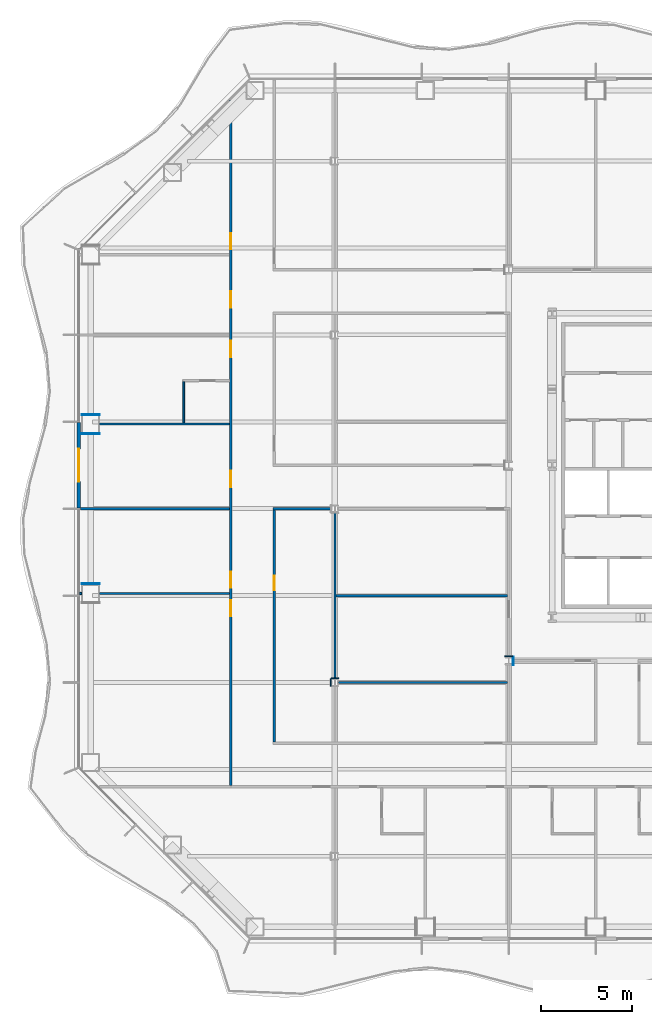
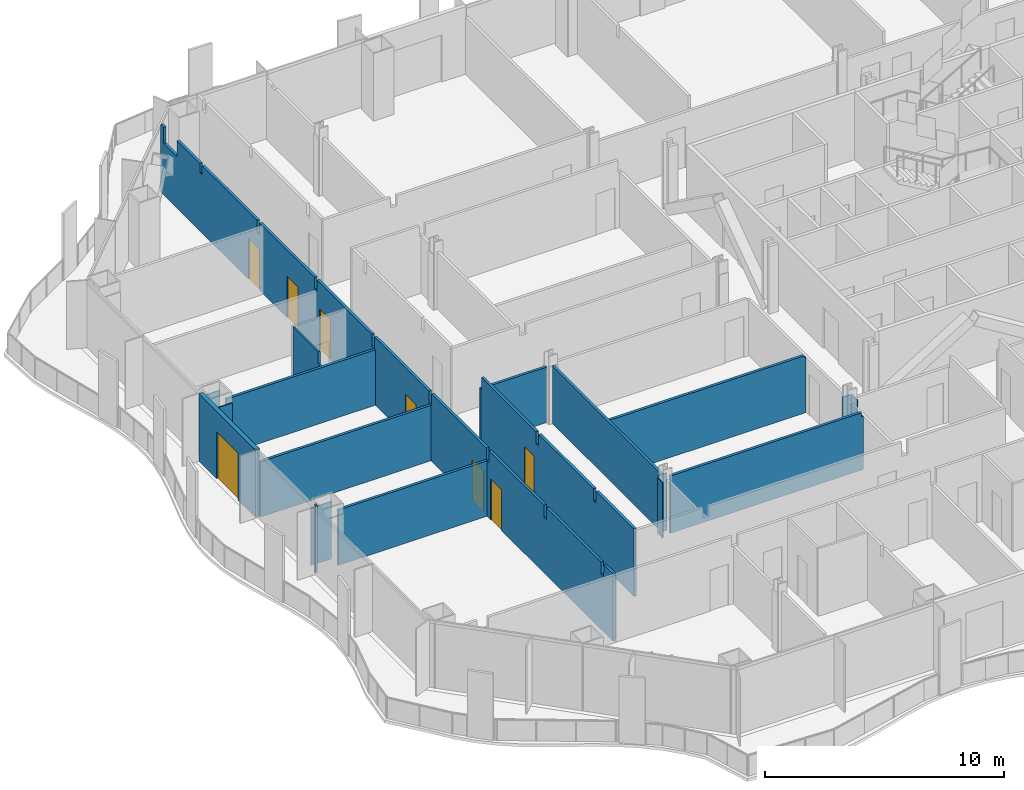
# One storey, part 7 of 21: 19 walls, 8 doors, 8 openings.
"""IFC4 building model written with IfcOpenShell, lengths in metres."""

from ifc_helpers import new_model, si_unit, direction, frame, frame_2d, origin, place, context, subcontext, project, spatial, polyline, rectangle, outline, extrude, material, layer, layer_set, type_object, element, fill, save


model = new_model("IFC4")

# Units and contexts
model_context = context("Model", 3, precision=1e-05, world=origin(), true_north=direction((0.0, 1.0)))
body_context = subcontext(model_context, "Body", "Model", "MODEL_VIEW")
ifc_project = project(units=[si_unit("LENGTHUNIT", "METRE"), si_unit("AREAUNIT", "SQUARE_METRE"), si_unit("VOLUMEUNIT", "CUBIC_METRE"), si_unit("PLANEANGLEUNIT", "RADIAN"), si_unit("MASSUNIT", "GRAM", prefix="KILO")], contexts=[model_context])

# Site, building, storey
site_placement = place(None, origin())
site = spatial("IfcSite", under=ifc_project, at=site_placement, CompositionType="ELEMENT")
building_placement = place(site_placement, origin())
building = spatial("IfcBuilding", under=site, at=building_placement, Name="Cairn Pilgrim Tower", CompositionType="ELEMENT")
storey_placement = place(building_placement, frame((0.0, 0.0, 47.39990234375)))
storey = spatial("IfcBuildingStorey", under=building, at=storey_placement, Name="L09", CompositionType="ELEMENT", Elevation=47.39990234375)

# Wall, opening, door
ifc_material_1 = material(Name="Bronze anodised aluminium insulated sandwich panel with mineral wool fill", Category="aluminium")
ifc_layer_1 = layer(ifc_material_1, 0.199951171875)
ifc_layer_set_1 = layer_set([ifc_layer_1], Name="BRONZE INFILL FRAME WALL 200")
wall_type_1 = type_object("IfcWallType", Name="BRONZE INFILL FRAME WALL 200", PredefinedType="NOTDEFINED", material=ifc_layer_set_1)
wall_1_placement = place(storey_placement, frame((-28.550048828125, 4.77001953125, 0.0), z_axis=(0.0, 0.0, 1.0), x_axis=(0.0, -1.0, 0.0)))
wall_1 = element("IfcWall", 1, at=wall_1_placement, inside=storey, type_object=wall_type_1, Name="Bronze infill frame wall IW-W3", PredefinedType="NOTDEFINED", context=body_context, shape_type="SweptSolid", body=[
    extrude(rectangle(XDim=4.739990234375, YDim=0.199951171875, at=frame_2d((2.3701171875, 0.0))), origin(), (0.0, 0.0, 1.0), 3.4501953125),
])
opening_1_placement = place(wall_1_placement, frame((1.469970703125, 0.0, 0.0)))
opening_1 = element("IfcOpeningElement", 2, at=opening_1_placement, cuts=wall_1, Name="Opening 0911B", PredefinedType="OPENING", context=body_context, shape_type="SweptSolid", body=[
    extrude(rectangle(XDim=1.800048828125, YDim=2.39990234375, at=frame_2d((0.89990234375, 1.199951171875))), frame((0.0, 0.10986328125, 0.0), z_axis=(0.0, -1.0, 0.0), x_axis=(1.0, 0.0, 0.0)), (0.0, 0.0, 1.0), 0.219970703125),
])
ifc_material_2 = material(Name="Bronze anodised aluminium frame with tinted low-E glass", Category="aluminium")
door_type_1 = type_object("IfcDoorType", Name="BALCONY SLIDING DOOR 1800x2400", OperationType="DOUBLE_DOOR_SLIDING", PredefinedType="DOOR", material=ifc_material_2)
door_1_placement = place(opening_1_placement, origin())
door_1 = element("IfcDoor", 3, at=door_1_placement, inside=storey, type_object=door_type_1, Name="Balcony sliding door 0911B", OperationType="SINGLE_SWING_LEFT", OverallHeight=2.39990234375, OverallWidth=1.800048828125, PredefinedType="DOOR", context=body_context, shape_type="SweptSolid", body=[
    extrude(rectangle(XDim=1.800048828125, YDim=2.39990234375, at=frame_2d((0.89990234375, 1.199951171875))), frame((0.0, 0.02490234375, 0.0), z_axis=(0.0, -1.0, 0.0), x_axis=(1.0, 0.0, 0.0)), (0.0, 0.0, 1.0), 0.050048828125),
])
fill(opening_1, door_1)

# Wall
ifc_material_3 = material(Name="Gypsum partition")
ifc_layer_2 = layer(ifc_material_3, 0.10009765625)
ifc_layer_set_2 = layer_set([ifc_layer_2], Name="PARTITION 100 DRYWALL")
wall_type_2 = type_object("IfcWallType", Name="PARTITION 100 DRYWALL", PredefinedType="PARTITIONING", material=ifc_layer_set_2)
wall_2_placement = place(storey_placement, frame((-22.75, 4.738525390625, 0.0), z_axis=(0.0, 0.0, 1.0), x_axis=(0.0, 1.0, 0.0)))
element("IfcWall", 4, at=wall_2_placement, inside=storey, type_object=wall_type_2, Name="PARTITION W065", PredefinedType="PARTITIONING", context=body_context, shape_type="SweptSolid", body=[
    extrude(outline(polyline([(0.0, 0.0), (2.287353515625, 0.0), (2.28759765625, 3.4501953125), (0.17138671875, 3.4501953125), (0.16943359375, 2.830078125), (0.0, 2.830078125), (0.0, 0.0)])), frame((0.0, 0.050048828125, 0.0), z_axis=(0.0, -1.0, 0.0), x_axis=(1.0, 0.0, 0.0)), (0.0, 0.0, 1.0), 0.10009765625),
])

# Wall, openings, doors
ifc_layer_3 = layer(ifc_material_3, 0.125)
ifc_layer_set_3 = layer_set([ifc_layer_3], Name="PARTITION 125 DRYWALL EI 60")
wall_type_3 = type_object("IfcWallType", Name="PARTITION 125 DRYWALL EI 60", PredefinedType="PARTITIONING", material=ifc_layer_set_3)
wall_3_placement = place(storey_placement, frame((-20.14990234375, -15.28759765625, 0.0), z_axis=(0.0, 0.0, 1.0), x_axis=(0.0, 1.0, 0.0)))
wall_3 = element("IfcWall", 5, at=wall_3_placement, inside=storey, type_object=wall_type_3, Name="PARTITION W023", PredefinedType="PARTITIONING", context=body_context, shape_type="SweptSolid", body=[
    extrude(outline(polyline([(0.0, 0.0), (37.876220703125, 0.0), (37.876220703125, 3.4501953125), (37.622314453125, 3.4501953125), (37.6201171875, 2.630126953125), (36.507080078125, 2.630126953125), (36.505126953125, 3.4501953125), (34.58251953125, 3.4501953125), (34.58056640625, 2.97998046875), (34.392578125, 2.97998046875), (34.390380859375, 3.4501953125), (29.797607421875, 3.4501953125), (29.79541015625, 2.830078125), (29.577392578125, 2.830078125), (29.575439453125, 3.4501953125), (24.99755859375, 3.4501953125), (24.99560546875, 2.830078125), (24.777587890625, 2.830078125), (24.775390625, 3.4501953125), (20.197509765625, 3.4501953125), (20.195556640625, 2.830078125), (19.9775390625, 2.830078125), (19.9755859375, 3.4501953125), (15.3974609375, 3.4501953125), (15.3955078125, 2.830078125), (15.177490234375, 2.830078125), (15.175537109375, 3.4501953125), (10.597412109375, 3.4501953125), (10.595458984375, 2.830078125), (10.37744140625, 2.830078125), (10.37548828125, 3.4501953125), (5.797607421875, 3.4501953125), (5.79541015625, 2.830078125), (5.577392578125, 2.830078125), (5.575439453125, 3.4501953125), (0.99755859375, 3.4501953125), (0.99560546875, 2.830078125), (0.777587890625, 2.830078125), (0.775390625, 3.4501953125), (0.0, 3.4501953125), (0.0, 0.0)])), frame((0.0, 0.0625, 0.0), z_axis=(0.0, -1.0, 0.0), x_axis=(1.0, 0.0, 0.0)), (0.0, 0.0, 1.0), 0.125),
])
opening_2_placement = place(wall_3_placement, frame((9.33740234375, 0.0, 0.0)))
opening_2 = element("IfcOpeningElement", 6, at=opening_2_placement, cuts=wall_3, Name="Opening 0909", PredefinedType="OPENING", context=body_context, shape_type="SweptSolid", body=[
    extrude(rectangle(XDim=0.89990234375, YDim=2.10009765625, at=frame_2d((0.449951171875, 1.050048828125))), frame((0.0, 0.072509765625, 0.0), z_axis=(0.0, -1.0, 0.0), x_axis=(1.0, 0.0, 0.0)), (0.0, 0.0, 1.0), 0.14501953125),
])
opening_3_placement = place(wall_3_placement, frame((10.91162109375, 0.0, 0.0)))
opening_3 = element("IfcOpeningElement", 7, at=opening_3_placement, cuts=wall_3, Name="Opening 0910", PredefinedType="OPENING", context=body_context, shape_type="SweptSolid", body=[
    extrude(rectangle(XDim=0.89990234375, YDim=2.10009765625, at=frame_2d((0.449951171875, 1.050048828125))), frame((0.0, 0.072509765625, 0.0), z_axis=(0.0, -1.0, 0.0), x_axis=(1.0, 0.0, 0.0)), (0.0, 0.0, 1.0), 0.14501953125),
])
opening_4_placement = place(wall_3_placement, frame((16.487548828125, 0.0, 0.0)))
opening_4 = element("IfcOpeningElement", 8, at=opening_4_placement, cuts=wall_3, Name="Opening 0911", PredefinedType="OPENING", context=body_context, shape_type="SweptSolid", body=[
    extrude(rectangle(XDim=0.89990234375, YDim=2.10009765625, at=frame_2d((0.449951171875, 1.050048828125))), frame((0.0, 0.072509765625, 0.0), z_axis=(0.0, -1.0, 0.0), x_axis=(1.0, 0.0, 0.0)), (0.0, 0.0, 1.0), 0.14501953125),
])
opening_5_placement = place(wall_3_placement, frame((23.66357421875, 0.0, 0.0)))
opening_5 = element("IfcOpeningElement", 9, at=opening_5_placement, cuts=wall_3, Name="Opening 0912", PredefinedType="OPENING", context=body_context, shape_type="SweptSolid", body=[
    extrude(rectangle(XDim=0.89990234375, YDim=2.10009765625, at=frame_2d((0.449951171875, 1.050048828125))), frame((0.0, 0.072509765625, 0.0), z_axis=(0.0, -1.0, 0.0), x_axis=(1.0, 0.0, 0.0)), (0.0, 0.0, 1.0), 0.14501953125),
])
opening_6_placement = place(wall_3_placement, frame((26.387451171875, 0.0, 0.0)))
opening_6 = element("IfcOpeningElement", 10, at=opening_6_placement, cuts=wall_3, Name="Opening 0913", PredefinedType="OPENING", context=body_context, shape_type="SweptSolid", body=[
    extrude(rectangle(XDim=0.89990234375, YDim=2.10009765625, at=frame_2d((0.449951171875, 1.050048828125))), frame((0.0, 0.072509765625, 0.0), z_axis=(0.0, -1.0, 0.0), x_axis=(1.0, 0.0, 0.0)), (0.0, 0.0, 1.0), 0.14501953125),
])
opening_7_placement = place(wall_3_placement, frame((29.614501953125, 0.0, 0.0)))
opening_7 = element("IfcOpeningElement", 11, at=opening_7_placement, cuts=wall_3, Name="Opening 0914", PredefinedType="OPENING", context=body_context, shape_type="SweptSolid", body=[
    extrude(rectangle(XDim=0.89990234375, YDim=2.10009765625, at=frame_2d((0.449951171875, 1.050048828125))), frame((0.0, 0.072509765625, 0.0), z_axis=(0.0, -1.0, 0.0), x_axis=(1.0, 0.0, 0.0)), (0.0, 0.0, 1.0), 0.14501953125),
])
ifc_material_4 = material(Name="Steel-faced fire door leaf", Category="steel")
door_type_2 = type_object("IfcDoorType", Name="FIRE DOOR 900x2100 FD30S", OperationType="NOTDEFINED", PredefinedType="DOOR", material=ifc_material_4)
door_2_placement = place(opening_2_placement, origin())
door_2 = element("IfcDoor", 12, at=door_2_placement, inside=storey, type_object=door_type_2, Name="DOOR 0909", OperationType="SINGLE_SWING_LEFT", OverallHeight=2.10009765625, OverallWidth=0.89990234375, PredefinedType="DOOR", context=body_context, shape_type="SweptSolid", body=[
    extrude(rectangle(XDim=0.89990234375, YDim=2.10009765625, at=frame_2d((0.449951171875, 1.050048828125))), frame((0.0, 0.02490234375, 0.0), z_axis=(0.0, -1.0, 0.0), x_axis=(1.0, 0.0, 0.0)), (0.0, 0.0, 1.0), 0.050048828125),
])
fill(opening_2, door_2)
door_3_placement = place(opening_3_placement, origin())
door_3 = element("IfcDoor", 13, at=door_3_placement, inside=storey, type_object=door_type_2, Name="DOOR 0910", OperationType="SINGLE_SWING_RIGHT", OverallHeight=2.10009765625, OverallWidth=0.89990234375, PredefinedType="DOOR", context=body_context, shape_type="SweptSolid", body=[
    extrude(rectangle(XDim=0.89990234375, YDim=2.10009765625, at=frame_2d((0.449951171875, 1.050048828125))), frame((0.0, 0.02490234375, 0.0), z_axis=(0.0, -1.0, 0.0), x_axis=(1.0, 0.0, 0.0)), (0.0, 0.0, 1.0), 0.050048828125),
])
fill(opening_3, door_3)
door_4_placement = place(opening_4_placement, origin())
door_4 = element("IfcDoor", 14, at=door_4_placement, inside=storey, type_object=door_type_2, Name="DOOR 0911", OperationType="SINGLE_SWING_LEFT", OverallHeight=2.10009765625, OverallWidth=0.89990234375, PredefinedType="DOOR", context=body_context, shape_type="SweptSolid", body=[
    extrude(rectangle(XDim=0.89990234375, YDim=2.10009765625, at=frame_2d((0.449951171875, 1.050048828125))), frame((0.0, 0.02490234375, 0.0), z_axis=(0.0, -1.0, 0.0), x_axis=(1.0, 0.0, 0.0)), (0.0, 0.0, 1.0), 0.050048828125),
])
fill(opening_4, door_4)
door_5_placement = place(opening_5_placement, origin())
door_5 = element("IfcDoor", 15, at=door_5_placement, inside=storey, type_object=door_type_2, Name="DOOR 0912", OperationType="SINGLE_SWING_RIGHT", OverallHeight=2.10009765625, OverallWidth=0.89990234375, PredefinedType="DOOR", context=body_context, shape_type="SweptSolid", body=[
    extrude(rectangle(XDim=0.89990234375, YDim=2.10009765625, at=frame_2d((0.449951171875, 1.050048828125))), frame((0.0, 0.02490234375, 0.0), z_axis=(0.0, -1.0, 0.0), x_axis=(1.0, 0.0, 0.0)), (0.0, 0.0, 1.0), 0.050048828125),
])
fill(opening_5, door_5)
door_6_placement = place(opening_6_placement, origin())
door_6 = element("IfcDoor", 16, at=door_6_placement, inside=storey, type_object=door_type_2, Name="DOOR 0913", OperationType="SINGLE_SWING_RIGHT", OverallHeight=2.10009765625, OverallWidth=0.89990234375, PredefinedType="DOOR", context=body_context, shape_type="SweptSolid", body=[
    extrude(rectangle(XDim=0.89990234375, YDim=2.10009765625, at=frame_2d((0.449951171875, 1.050048828125))), frame((0.0, 0.02490234375, 0.0), z_axis=(0.0, -1.0, 0.0), x_axis=(1.0, 0.0, 0.0)), (0.0, 0.0, 1.0), 0.050048828125),
])
fill(opening_6, door_6)
door_7_placement = place(opening_7_placement, origin())
door_7 = element("IfcDoor", 17, at=door_7_placement, inside=storey, type_object=door_type_2, Name="DOOR 0914", OperationType="SINGLE_SWING_LEFT", OverallHeight=2.10009765625, OverallWidth=0.89990234375, PredefinedType="DOOR", context=body_context, shape_type="SweptSolid", body=[
    extrude(rectangle(XDim=0.89990234375, YDim=2.10009765625, at=frame_2d((0.449951171875, 1.050048828125))), frame((0.0, 0.02490234375, 0.0), z_axis=(0.0, -1.0, 0.0), x_axis=(1.0, 0.0, 0.0)), (0.0, 0.0, 1.0), 0.050048828125),
])
fill(opening_7, door_7)

# Wall, opening, door
wall_4_placement = place(storey_placement, frame((-17.75, -12.887451171875, 0.0), z_axis=(0.0, 0.0, 1.0), x_axis=(0.0, 1.0, 0.0)))
wall_4 = element("IfcWall", 18, at=wall_4_placement, inside=storey, type_object=wall_type_3, Name="PARTITION W027", PredefinedType="PARTITIONING", context=body_context, shape_type="SweptSolid", body=[
    extrude(outline(polyline([(0.0, 0.0), (12.824951171875, 0.0), (12.824951171875, 2.830078125), (12.777587890625, 2.830078125), (12.775390625, 3.4501953125), (8.197509765625, 3.4501953125), (8.195556640625, 2.830078125), (7.9775390625, 2.830078125), (7.9755859375, 3.4501953125), (3.3974609375, 3.4501953125), (3.3955078125, 2.830078125), (3.177490234375, 2.830078125), (3.175537109375, 3.4501953125), (0.0, 3.4501953125), (0.0, 0.0)])), frame((0.0, 0.0625, 0.0), z_axis=(0.0, -1.0, 0.0), x_axis=(1.0, 0.0, 0.0)), (0.0, 0.0, 1.0), 0.125),
])
opening_8_placement = place(wall_4_placement, frame((8.387451171875, 0.0, 0.0)))
opening_8 = element("IfcOpeningElement", 19, at=opening_8_placement, cuts=wall_4, Name="Opening 0932", PredefinedType="OPENING", context=body_context, shape_type="SweptSolid", body=[
    extrude(rectangle(XDim=0.800048828125, YDim=2.10009765625, at=frame_2d((0.39990234375, 1.050048828125))), frame((0.0, 0.072509765625, 0.0), z_axis=(0.0, -1.0, 0.0), x_axis=(1.0, 0.0, 0.0)), (0.0, 0.0, 1.0), 0.14501953125),
])
door_type_3 = type_object("IfcDoorType", Name="FIRE DOOR 800x2100 FD30S", OperationType="NOTDEFINED", PredefinedType="DOOR", material=ifc_material_4)
door_8_placement = place(opening_8_placement, frame((0.800048828125, 0.0, 0.0), z_axis=(0.0, 0.0, 1.0), x_axis=(-1.0, 0.0, 0.0)))
door_8 = element("IfcDoor", 20, at=door_8_placement, inside=storey, type_object=door_type_3, Name="DOOR 0932", OperationType="SINGLE_SWING_LEFT", OverallHeight=2.10009765625, OverallWidth=0.800048828125, PredefinedType="DOOR", context=body_context, shape_type="SweptSolid", body=[
    extrude(rectangle(XDim=0.800048828125, YDim=2.10009765625, at=frame_2d((0.39990234375, 1.050048828125))), frame((0.0, 0.02490234375, 0.0), z_axis=(0.0, -1.0, 0.0), x_axis=(1.0, 0.0, 0.0)), (0.0, 0.0, 1.0), 0.050048828125),
])
fill(opening_8, door_8)

# Walls
wall_5_placement = place(storey_placement, frame((-14.195556640625, -9.60009765625, 0.0), z_axis=(0.0, 0.0, 1.0), x_axis=(1.0, 0.0, 0.0)))
element("IfcWall", 21, at=wall_5_placement, inside=storey, type_object=wall_type_3, Name="PARTITION W036", PredefinedType="PARTITIONING", context=body_context, shape_type="SweptSolid", body=[
    extrude(outline(polyline([(0.0, 0.0), (9.3330078125, 0.0), (9.3330078125, 2.72998046875), (9.24560546875, 2.72998046875), (9.243408203125, 2.93017578125), (0.0, 2.93017578125), (0.0, 0.0)])), frame((0.0, 0.0625, 0.0), z_axis=(0.0, -1.0, 0.0), x_axis=(1.0, 0.0, 0.0)), (0.0, 0.0, 1.0), 0.125),
])
wall_6_placement = place(storey_placement, frame((-14.39990234375, -9.387451171875, 0.0), z_axis=(0.0, 0.0, 1.0), x_axis=(0.0, 1.0, 0.0)))
element("IfcWall", 22, at=wall_6_placement, inside=storey, type_object=wall_type_3, Name="PARTITION W039", PredefinedType="PARTITIONING", context=body_context, shape_type="SweptSolid", body=[
    extrude(rectangle(XDim=9.175048828125, YDim=0.125, at=frame_2d((4.58740234375, 0.0))), origin(), (0.0, 0.0, 1.0), 2.93017578125),
])
wall_7_placement = place(storey_placement, frame((-14.33740234375, -4.800048828125, 0.0), z_axis=(0.0, 0.0, 1.0), x_axis=(1.0, 0.0, 0.0)))
element("IfcWall", 23, at=wall_7_placement, inside=storey, type_object=wall_type_3, Name="PARTITION W046", PredefinedType="PARTITIONING", context=body_context, shape_type="SweptSolid", body=[
    extrude(outline(polyline([(0.0, 0.0), (9.474853515625, 0.0), (9.47509765625, 2.830078125), (9.387451171875, 2.830078125), (9.385498046875, 2.93017578125), (0.0, 2.93017578125), (0.0, 0.0)])), frame((0.0, 0.0625, 0.0), z_axis=(0.0, -1.0, 0.0), x_axis=(1.0, 0.0, 0.0)), (0.0, 0.0, 1.0), 0.125),
])
wall_8_placement = place(storey_placement, frame((-28.5029296875, -4.676025390625, 0.0), z_axis=(0.0, 0.0, 1.0), x_axis=(1.0, 0.0, 0.0)))
element("IfcWall", 24, at=wall_8_placement, inside=storey, type_object=wall_type_3, Name="PARTITION W047", PredefinedType="PARTITIONING", context=body_context, shape_type="SweptSolid", body=[
    extrude(rectangle(XDim=0.10302734375, YDim=0.125, at=frame_2d((0.051513671875, 0.0))), origin(), (0.0, 0.0, 1.0), 3.4501953125),
])
wall_9_placement = place(storey_placement, frame((-27.39990234375, -4.676025390625, 0.0), z_axis=(0.0, 0.0, 1.0), x_axis=(1.0, 0.0, 0.0)))
element("IfcWall", 25, at=wall_9_placement, inside=storey, type_object=wall_type_3, Name="PARTITION W048", PredefinedType="PARTITIONING", context=body_context, shape_type="SweptSolid", body=[
    extrude(rectangle(XDim=7.1875, YDim=0.125, at=frame_2d((3.59375, 0.0))), origin(), (0.0, 0.0, 1.0), 2.830078125),
])
wall_10_placement = place(storey_placement, frame((-28.449951171875, 0.0, 0.0), z_axis=(0.0, 0.0, 1.0), x_axis=(1.0, 0.0, 0.0)))
element("IfcWall", 26, at=wall_10_placement, inside=storey, type_object=wall_type_3, Name="PARTITION W053", PredefinedType="PARTITIONING", context=body_context, shape_type="SweptSolid", body=[
    extrude(rectangle(XDim=8.237548828125, YDim=0.125, at=frame_2d((4.11865234375, 0.0))), origin(), (0.0, 0.0, 1.0), 2.830078125),
])
wall_11_placement = place(storey_placement, frame((-17.8125, 0.0, 0.0), z_axis=(0.0, 0.0, 1.0), x_axis=(1.0, 0.0, 0.0)))
element("IfcWall", 27, at=wall_11_placement, inside=storey, type_object=wall_type_3, Name="PARTITION W054", PredefinedType="PARTITIONING", context=body_context, shape_type="SweptSolid", body=[
    extrude(rectangle(XDim=3.2080078125, YDim=0.125, at=frame_2d((1.60400390625, 0.0))), origin(), (0.0, 0.0, 1.0), 2.830078125),
])
wall_12_placement = place(storey_placement, frame((-27.39990234375, 4.676025390625, 0.0), z_axis=(0.0, 0.0, 1.0), x_axis=(1.0, 0.0, 0.0)))
element("IfcWall", 28, at=wall_12_placement, inside=storey, type_object=wall_type_3, Name="PARTITION W064", PredefinedType="PARTITIONING", context=body_context, shape_type="SweptSolid", body=[
    extrude(rectangle(XDim=7.1875, YDim=0.125, at=frame_2d((3.59375, 0.0))), origin(), (0.0, 0.0, 1.0), 2.830078125),
])
ifc_layer_4 = layer(ifc_material_3, 0.050048828125)
ifc_layer_set_4 = layer_set([ifc_layer_4], Name="PARTITION 50 DRYWALL EI 60")
wall_type_4 = type_object("IfcWallType", Name="PARTITION 50 DRYWALL EI 60", PredefinedType="PARTITIONING", material=ifc_layer_set_4)
wall_13_placement = place(storey_placement, frame((-14.62939453125, -9.8125, 0.0), z_axis=(0.0, 0.0, 1.0), x_axis=(0.0, 1.0, 0.0)))
element("IfcWall", 29, at=wall_13_placement, inside=storey, type_object=wall_type_4, Name="COLUMN CASING WC12", PredefinedType="PARTITIONING", context=body_context, shape_type="SweptSolid", body=[
    extrude(rectangle(XDim=0.425048828125, YDim=0.050048828125, at=frame_2d((0.21240234375, 0.0))), origin(), (0.0, 0.0, 1.0), 2.830078125),
])
wall_14_placement = place(storey_placement, frame((-4.56298828125, -8.636962890625, 0.0), z_axis=(0.0, 0.0, 1.0), x_axis=(0.0, 1.0, 0.0)))
element("IfcWall", 30, at=wall_14_placement, inside=storey, type_object=wall_type_4, Name="COLUMN CASING WC14", PredefinedType="PARTITIONING", context=body_context, shape_type="SweptSolid", body=[
    extrude(rectangle(XDim=0.473876953125, YDim=0.050048828125, at=frame_2d((0.23681640625, 0.0))), origin(), (0.0, 0.0, 1.0), 2.830078125),
])
wall_15_placement = place(storey_placement, frame((-14.6044921875, -9.362548828125, 0.0), z_axis=(0.0, 0.0, 1.0), x_axis=(1.0, 0.0, 0.0)))
element("IfcWall", 31, at=wall_15_placement, inside=storey, type_object=wall_type_4, Name="COLUMN CASING WC15", PredefinedType="PARTITIONING", context=body_context, shape_type="SweptSolid", body=[
    extrude(rectangle(XDim=0.408935546875, YDim=0.050048828125, at=frame_2d((0.20458984375, 0.0))), origin(), (0.0, 0.0, 1.0), 2.93017578125),
])
wall_16_placement = place(storey_placement, frame((-5.011962890625, -8.137939453125, 0.0), z_axis=(0.0, 0.0, 1.0), x_axis=(1.0, 0.0, 0.0)))
element("IfcWall", 32, at=wall_16_placement, inside=storey, type_object=wall_type_4, Name="COLUMN CASING WC16", PredefinedType="PARTITIONING", context=body_context, shape_type="SweptSolid", body=[
    extrude(rectangle(XDim=0.424072265625, YDim=0.050048828125, at=frame_2d((0.2119140625, 0.0))), origin(), (0.0, 0.0, 1.0), 2.830078125),
])
for number, where, z_axis, x_axis, name in (
    (33, (-28.39990234375, -4.150634765625, 0.0), (0.0, 0.0, 1.0), (1.0, 0.0, 0.0), "COLUMN CASING WC18"),
    (34, (-28.39990234375, 5.20068359375, 0.0), (0.0, 0.0, 1.0), (1.0, 0.0, 0.0), "COLUMN CASING WC27"),
    (35, (-28.39990234375, 4.150634765625, 0.0), (0.0, 0.0, 1.0), (1.0, 0.0, 0.0), "COLUMN CASING WC28"),
):
    element("IfcWall", number, at=place(storey_placement, frame(where, z_axis=z_axis, x_axis=x_axis)), inside=storey, type_object=wall_type_4, Name=name, PredefinedType="PARTITIONING", context=body_context, shape_type="SweptSolid", body=[
        extrude(rectangle(XDim=1.0, YDim=0.050048828125, at=frame_2d((0.5, 0.0))), origin(), (0.0, 0.0, 1.0), 2.93017578125),
    ])

save(model, "model.ifc")
